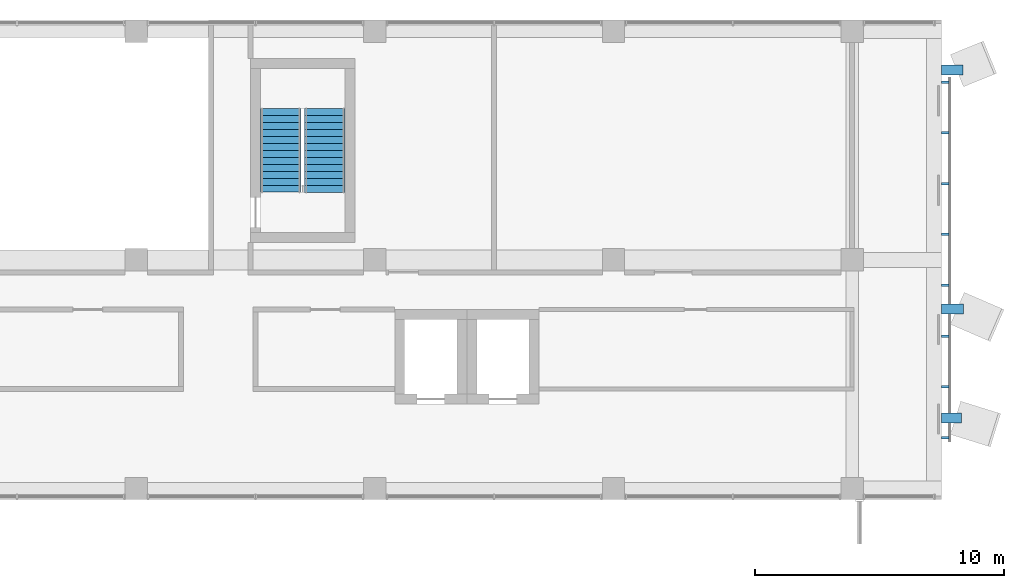
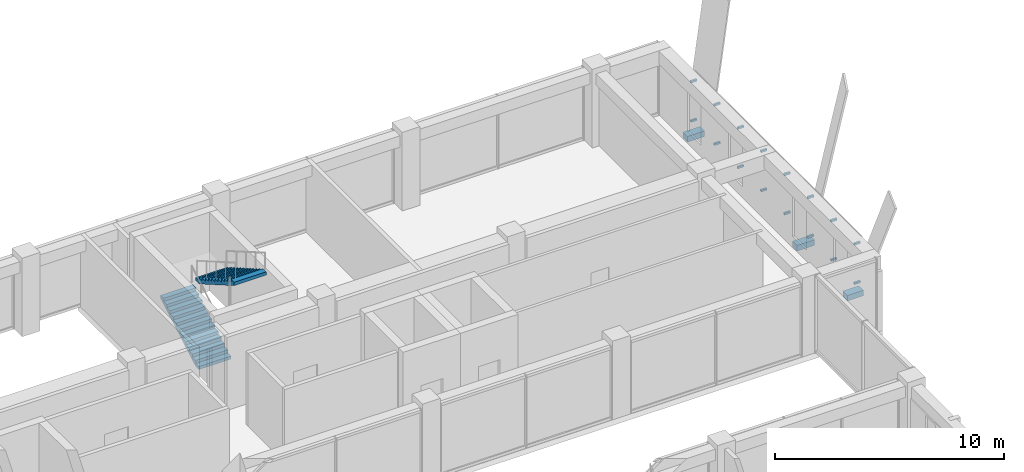
# One storey, part 31 of 37: 19 discrete accessories, 2 stair flights, 1 element without a shape of its own.
"""IFC4 building model written with IfcOpenShell, lengths in metres."""

from ifc_helpers import new_model, si_unit, direction, frame, origin, origin_2d, place, context, subcontext, project, spatial, polyline, rectangle, outline, extrude, material, type_object, element, aggregate, save


model = new_model("IFC4")

# Units and contexts
model_context = context("Model", 3, precision=1e-05, world=origin(), true_north=direction((0.0, 1.0)))
body_context = subcontext(model_context, "Body", "Model", "MODEL_VIEW")
ifc_project = project(units=[si_unit("LENGTHUNIT", "METRE"), si_unit("AREAUNIT", "SQUARE_METRE"), si_unit("VOLUMEUNIT", "CUBIC_METRE"), si_unit("PLANEANGLEUNIT", "RADIAN"), si_unit("MASSUNIT", "GRAM", prefix="KILO")], contexts=[model_context])

# Site, building, storey
site_placement = place(None, origin())
site = spatial("IfcSite", under=ifc_project, at=site_placement, CompositionType="ELEMENT")
building_placement = place(site_placement, origin())
building = spatial("IfcBuilding", under=site, at=building_placement, Name="Nzadi Deep Aquarium and Research Tower", CompositionType="ELEMENT")
storey_placement = place(building_placement, frame((0.0, 0.0, 61.300048828125)))
storey = spatial("IfcBuildingStorey", under=building, at=storey_placement, Name="L12", CompositionType="ELEMENT", Elevation=61.300048828125)

# Stair, stair flights
ifc_material_1 = material(Name="Concrete C35/45", Category="concrete")
stair_type = type_object("IfcStairType", Name="STAIR RETURN 3000", PredefinedType="NOTDEFINED", material=ifc_material_1)
stair_placement = place(storey_placement, origin())
stair = element("IfcStair", 1, at=stair_placement, inside=storey, type_object=stair_type, Name="Stair ST-Z1-NE L12", PredefinedType="HALF_TURN_STAIR")
ifc_material_2 = material(Name="Concrete C35/45", Category="concrete")
stair_flight_type = type_object("IfcStairFlightType", Name="FLIGHT 1625 13 RISERS 161.5 GOING 280", PredefinedType="STRAIGHT", material=ifc_material_2)
stair_flight_1_placement = place(storey_placement, frame((25.012451171875, 39.52001953125, 0.0), z_axis=(0.0, 0.0, 1.0), x_axis=(0.0, 1.0, 0.0)))
stair_flight_1 = element("IfcStairFlight", 2, at=stair_flight_1_placement, type_object=stair_flight_type, Name="ST-Z1-NE flight 1", NumberOfRisers=13, NumberOfTreads=12, PredefinedType="STRAIGHT", RiserHeight=0.161538462, TreadLength=0.28, context=body_context, shape_type="SweptSolid", body=[
    extrude(outline(polyline([(0.0, 0.0), (0.0, 0.16162109375), (0.280029296875, 0.16162109375), (0.280029296875, 0.322998046875), (0.56005859375, 0.322998046875), (0.56005859375, 0.484619140625), (0.840087890625, 0.484619140625), (0.840087890625, 0.646240234375), (1.1201171875, 0.646240234375), (1.1201171875, 0.8076171875), (1.39990234375, 0.8076171875), (1.39990234375, 0.96923828125), (1.679931640625, 0.96923828125), (1.679931640625, 1.130859375), (1.9599609375, 1.130859375), (1.9599609375, 1.292236328125), (2.239990234375, 1.292236328125), (2.239990234375, 1.453857421875), (2.52001953125, 1.453857421875), (2.52001953125, 1.615478515625), (2.800048828125, 1.615478515625), (2.800048828125, 1.77685546875), (3.080078125, 1.77685546875), (3.080078125, 1.9384765625), (3.360107421875, 1.9384765625), (3.360107421875, 2.10009765625), (3.360107421875, 1.765380859375), (0.300048828125, 0.0), (0.0, 0.0)])), frame((0.0, 0.8125, 0.0), z_axis=(0.0, -1.0, 0.0), x_axis=(1.0, 0.0, 0.0)), (0.0, 0.0, 1.0), 1.625),
])
stair_flight_2_placement = place(storey_placement, frame((26.78759765625, 42.8798828125, 2.099853515625), z_axis=(0.0, 0.0, 1.0), x_axis=(0.0, -1.0, 0.0)))
stair_flight_2 = element("IfcStairFlight", 3, at=stair_flight_2_placement, type_object=stair_flight_type, Name="ST-Z1-NE flight 2", NumberOfRisers=13, NumberOfTreads=12, PredefinedType="STRAIGHT", RiserHeight=0.161538462, TreadLength=0.28, context=body_context, shape_type="SweptSolid", body=[
    extrude(outline(polyline([(0.0, 0.0), (0.0, 0.16162109375), (0.280029296875, 0.16162109375), (0.280029296875, 0.322998046875), (0.56005859375, 0.322998046875), (0.56005859375, 0.484619140625), (0.840087890625, 0.484619140625), (0.840087890625, 0.646240234375), (1.1201171875, 0.646240234375), (1.1201171875, 0.8076171875), (1.39990234375, 0.8076171875), (1.39990234375, 0.96923828125), (1.679931640625, 0.96923828125), (1.679931640625, 1.130859375), (1.9599609375, 1.130859375), (1.9599609375, 1.292236328125), (2.239990234375, 1.292236328125), (2.239990234375, 1.453857421875), (2.52001953125, 1.453857421875), (2.52001953125, 1.615478515625), (2.800048828125, 1.615478515625), (2.800048828125, 1.77685546875), (3.080078125, 1.77685546875), (3.080078125, 1.9384765625), (3.360107421875, 1.9384765625), (3.360107421875, 2.10009765625), (3.360107421875, 1.765380859375), (0.300048828125, 0.0), (0.0, 0.0)])), frame((0.0, 0.8125, 0.0), z_axis=(0.0, -1.0, 0.0), x_axis=(1.0, 0.0, 0.0)), (0.0, 0.0, 1.0), 1.625),
])
aggregate(stair, [stair_flight_1, stair_flight_2])

# Discrete accessories
for number, where, z_axis, x_axis, name in (
    (4, (51.75, 29.64990234375, 0.949951171875), (0.0, 0.0, 1.0), (1.0, 0.0, 0.0), "Screen bracket L12"),
    (5, (51.75, 29.64990234375, 3.0498046875), (0.0, 0.0, 1.0), (1.0, 0.0, 0.0), "Screen bracket L12"),
    (6, (51.75, 31.69287109375, 0.949951171875), (0.0, 0.0, 1.0), (1.0, 0.0, 0.0), "Screen bracket L12"),
    (7, (51.75, 31.69287109375, 3.0498046875), (0.0, 0.0, 1.0), (1.0, 0.0, 0.0), "Screen bracket L12"),
    (8, (51.75, 33.735595703125, 0.949951171875), (0.0, 0.0, 1.0), (1.0, 0.0, 0.0), "Screen bracket L12"),
    (9, (51.75, 33.735595703125, 3.0498046875), (0.0, 0.0, 1.0), (1.0, 0.0, 0.0), "Screen bracket L12"),
    (10, (51.75, 35.778564453125, 0.949951171875), (0.0, 0.0, 1.0), (1.0, 0.0, 0.0), "Screen bracket L12"),
    (11, (51.75, 35.778564453125, 3.0498046875), (0.0, 0.0, 1.0), (1.0, 0.0, 0.0), "Screen bracket L12"),
    (12, (51.75, 37.8212890625, 0.949951171875), (0.0, 0.0, 1.0), (1.0, 0.0, 0.0), "Screen bracket L12"),
    (13, (51.75, 37.8212890625, 3.0498046875), (0.0, 0.0, 1.0), (1.0, 0.0, 0.0), "Screen bracket L12"),
    (14, (51.75, 39.8642578125, 0.949951171875), (0.0, 0.0, 1.0), (1.0, 0.0, 0.0), "Screen bracket L12"),
    (15, (51.75, 39.8642578125, 3.0498046875), (0.0, 0.0, 1.0), (1.0, 0.0, 0.0), "Screen bracket L12"),
    (16, (51.75, 41.906982421875, 0.949951171875), (0.0, 0.0, 1.0), (1.0, 0.0, 0.0), "Screen bracket L12"),
    (17, (51.75, 41.906982421875, 3.0498046875), (0.0, 0.0, 1.0), (1.0, 0.0, 0.0), "Screen bracket L12"),
    (18, (51.75, 43.949951171875, 0.949951171875), (0.0, 0.0, 1.0), (1.0, 0.0, 0.0), "Screen bracket L12"),
    (19, (51.75, 43.949951171875, 3.0498046875), (0.0, 0.0, 1.0), (1.0, 0.0, 0.0), "Screen bracket L12"),
):
    element("IfcDiscreteAccessory", number, at=place(storey_placement, frame(where, z_axis=z_axis, x_axis=x_axis)), inside=storey, Name=name, PredefinedType="BRACKET", context=body_context, shape_type="SweptSolid", body=[
        extrude(rectangle(XDim=0.300048828125, YDim=0.10009765625, at=origin_2d()), origin(), (0.0, 0.0, 1.0), 0.10009765625),
    ])
discrete_accessory_1_placement = place(storey_placement, frame((52.004150390625, 30.429931640625, -0.30029296875), z_axis=(0.0, 0.0, 1.0), x_axis=(1.0, 0.0, 0.0)))
element("IfcDiscreteAccessory", 20, at=discrete_accessory_1_placement, inside=storey, Name="Fold blade bracket", PredefinedType="BRACKET", context=body_context, shape_type="SweptSolid", body=[
    extrude(rectangle(XDim=0.80810546875, YDim=0.39990234375, at=origin_2d()), origin(), (0.0, 0.0, 1.0), 0.300048828125),
])
discrete_accessory_2_placement = place(storey_placement, frame((52.0390625, 34.830078125, -0.30029296875), z_axis=(0.0, 0.0, 1.0), x_axis=(1.0, 0.0, 0.0)))
element("IfcDiscreteAccessory", 21, at=discrete_accessory_2_placement, inside=storey, Name="Fold blade bracket", PredefinedType="BRACKET", context=body_context, shape_type="SweptSolid", body=[
    extrude(rectangle(XDim=0.8779296875, YDim=0.39990234375, at=origin_2d()), origin(), (0.0, 0.0, 1.0), 0.300048828125),
])
discrete_accessory_3_placement = place(storey_placement, frame((52.03173828125, 44.429931640625, -0.30029296875), z_axis=(0.0, 0.0, 1.0), x_axis=(1.0, 0.0, 0.0)))
element("IfcDiscreteAccessory", 22, at=discrete_accessory_3_placement, inside=storey, Name="Fold blade bracket", PredefinedType="BRACKET", context=body_context, shape_type="SweptSolid", body=[
    extrude(rectangle(XDim=0.86328125, YDim=0.39990234375, at=origin_2d()), origin(), (0.0, 0.0, 1.0), 0.300048828125),
])

save(model, "model.ifc")
